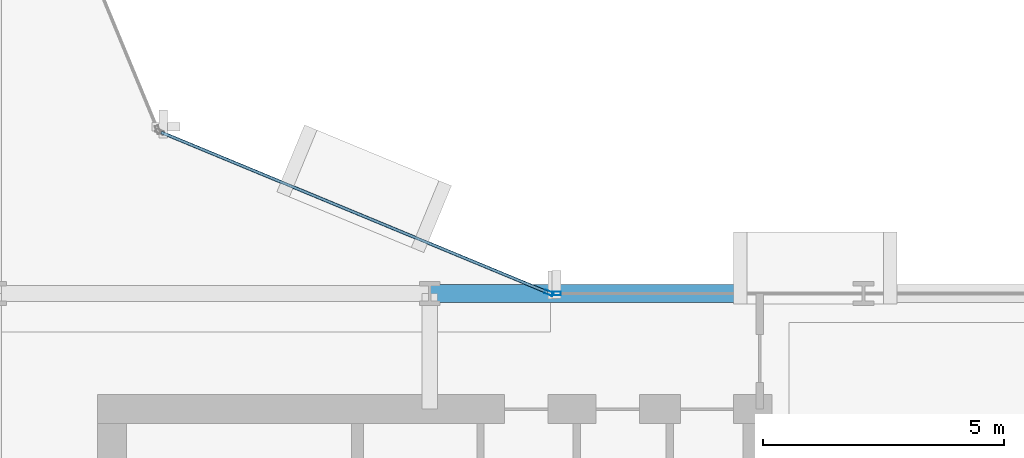
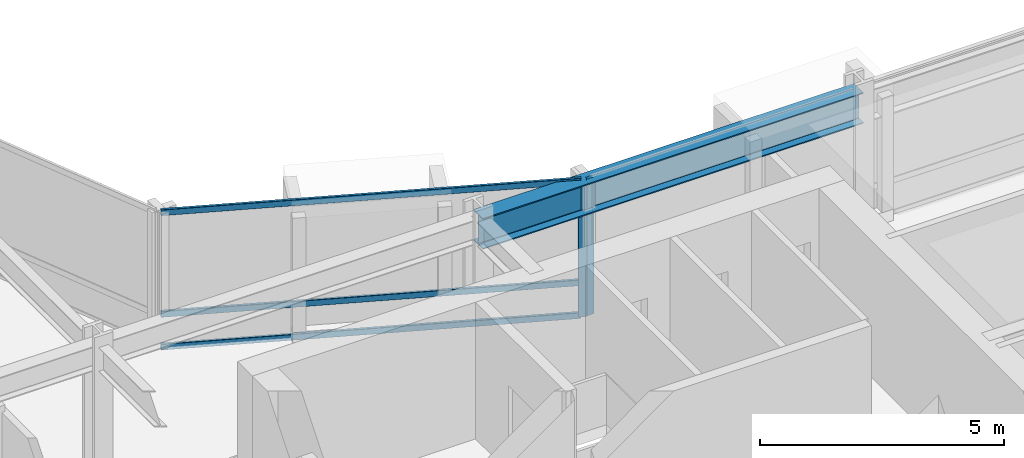
# One storey, part 15 of 34: 5 members, 1 beam, 2 elements without a shape of their own.
"""IFC4 building model written with IfcOpenShell, lengths in metres."""

from ifc_helpers import new_model, si_unit, direction, frame, origin, origin_2d, place, context, subcontext, project, spatial, hollow_rectangle, i_section, extrude, material, layer, layer_set, material_profile, profile_set, type_object, element, aggregate, save


model = new_model("IFC4")

# Units and contexts
model_context = context("Model", 3, precision=1e-05, world=origin(), true_north=direction((0.0, 1.0)))
body_context = subcontext(model_context, "Body", "Model", "MODEL_VIEW")
ifc_project = project(units=[si_unit("LENGTHUNIT", "METRE"), si_unit("AREAUNIT", "SQUARE_METRE"), si_unit("VOLUMEUNIT", "CUBIC_METRE"), si_unit("PLANEANGLEUNIT", "RADIAN"), si_unit("MASSUNIT", "GRAM", prefix="KILO")], contexts=[model_context])

# Site, building, storey
site_placement = place(None, origin())
site = spatial("IfcSite", under=ifc_project, at=site_placement, CompositionType="ELEMENT")
building_placement = place(site_placement, origin())
building = spatial("IfcBuilding", under=site, at=building_placement, Name="Solvaryn Broadcast Tower", CompositionType="ELEMENT")
storey_placement = place(building_placement, frame((0.0, 0.0, 47.10009765625)))
storey = spatial("IfcBuildingStorey", under=building, at=storey_placement, Name="L10", CompositionType="ELEMENT", Elevation=47.10009765625)

# Beam
ifc_material_1 = material(Name="Steel ASTM A992 Grade 50", Category="steel")
ifc_material_profile_1 = material_profile(ifc_material_1, i_section(OverallWidth=0.381103515625, OverallDepth=0.77294921875, WebThickness=0.0166015625, FlangeThickness=0.027099609375, FilletRadius=0.01806640625, at=origin_2d()))
ifc_profile_set_1 = profile_set([ifc_material_profile_1], Name="Steel ASTM A992 Grade 50")
beam_type = type_object("IfcBeamType", Name="BM-SP1-W30X173", PredefinedType="USERDEFINED", material=ifc_profile_set_1)
beam_placement = place(storey_placement, frame((36.0, 27.0, 3.033447265625), z_axis=(1.0, 0.0, 0.0), x_axis=(0.0, 1.0, 0.0)))
element("IfcBeam", 1, at=beam_placement, inside=storey, type_object=beam_type, Name="L10 Spandrel Beam X (36-45 @ Y=27)", ObjectType="SPANDREL", PredefinedType="USERDEFINED", context=body_context, shape_type="SweptSolid", body=[
    extrude(i_section(OverallWidth=0.381103515625, OverallDepth=0.77294921875, WebThickness=0.0166015625, FlangeThickness=0.027099609375, FilletRadius=0.01806640625, at=origin_2d()), origin(), (0.0, 0.0, 1.0), 9.0),
])

# Curtain wall, member
ifc_material_2 = material(Name="Aluminium and Terracotta Unitised Curtain Wall", Category="masonry")
ifc_layer = layer(ifc_material_2, 0.199951171875)
ifc_layer_set = layer_set([ifc_layer], Name="CW-SYS2-LOWMID")
curtain_wall_type = type_object("IfcCurtainWallType", Name="CW-SYS2-LOWMID", PredefinedType="NOTDEFINED", material=ifc_layer_set)
curtain_wall_1_placement = place(storey_placement, origin())
curtain_wall_1 = element("IfcCurtainWall", 2, at=curtain_wall_1_placement, inside=storey, type_object=curtain_wall_type, Name="L10 Curtain Wall CN1", PredefinedType="NOTDEFINED")
ifc_material_3 = material(Name="Anodised Aluminium 6063-T6", Category="aluminium")
ifc_material_profile_2 = material_profile(ifc_material_3, hollow_rectangle(XDim=0.074951171875, YDim=0.179931640625, WallThickness=0.00390625, InnerFilletRadius=0.00390625, OuterFilletRadius=0.008056640625, at=origin_2d()))
ifc_profile_set_2 = profile_set([ifc_material_profile_2], Name="Anodised Aluminium 6063-T6")
member_type_1 = type_object("IfcMemberType", Name="CW-MUL-180", PredefinedType="MULLION", material=ifc_profile_set_2)
member_1_placement = place(storey_placement, frame((38.47216796875, 27.011474609375, 0.0), z_axis=(0.0, 0.0, 1.0), x_axis=(-0.382646127145, -0.923894983957, 0.0)))
member_1 = element("IfcMember", 3, at=member_1_placement, type_object=member_type_1, Name="CWS2 mullion 1", PredefinedType="MULLION", context=body_context, shape_type="SweptSolid", body=[
    extrude(hollow_rectangle(XDim=0.074951171875, YDim=0.179931640625, WallThickness=0.00390625, InnerFilletRadius=0.00390625, OuterFilletRadius=0.008056640625, at=origin_2d()), origin(), (0.0, 0.0, 1.0), 3.419921875),
])

curtain_wall_2_placement = place(storey_placement, origin())
curtain_wall_2 = element("IfcCurtainWall", 4, at=curtain_wall_2_placement, inside=storey, type_object=curtain_wall_type, Name="L10 Curtain Wall IH", PredefinedType="NOTDEFINED")
member_2_placement = place(storey_placement, frame((38.6298828125, 27.0, 0.0), z_axis=(0.0, 0.0, 1.0), x_axis=(0.0, 1.0, 0.0)))
member_2 = element("IfcMember", 5, at=member_2_placement, type_object=member_type_1, Name="CWS2 mullion 1", PredefinedType="MULLION", context=body_context, shape_type="SweptSolid", body=[
    extrude(hollow_rectangle(XDim=0.074951171875, YDim=0.179931640625, WallThickness=0.00390625, InnerFilletRadius=0.00390625, OuterFilletRadius=0.008056640625, at=origin_2d()), origin(), (0.0, 0.0, 1.0), 3.419921875),
])
aggregate(curtain_wall_2, [member_2])

# Member
ifc_material_4 = material(Name="Anodised Aluminium 6063-T6", Category="aluminium")
ifc_material_profile_3 = material_profile(ifc_material_4, hollow_rectangle(XDim=0.06494140625, YDim=0.14990234375, WallThickness=0.00390625, InnerFilletRadius=0.00390625, OuterFilletRadius=0.008056640625, at=origin_2d()))
ifc_profile_set_3 = profile_set([ifc_material_profile_3], Name="Anodised Aluminium 6063-T6")
member_type_2 = type_object("IfcMemberType", Name="CW-TRN-150", PredefinedType="USERDEFINED", material=ifc_profile_set_3)
member_3_placement = place(storey_placement, frame((38.444580078125, 27.02294921875, 0.02978515625), z_axis=(-0.923899282177, 0.382635748975, 0.0), x_axis=(-0.382635748975, -0.923899282177, 0.0)))
member_3 = element("IfcMember", 6, at=member_3_placement, type_object=member_type_2, Name="CWS2 transom 1.1", ObjectType="TRANSOM", PredefinedType="USERDEFINED", context=body_context, shape_type="SweptSolid", body=[
    extrude(hollow_rectangle(XDim=0.06494140625, YDim=0.14990234375, WallThickness=0.00390625, InnerFilletRadius=0.00390625, OuterFilletRadius=0.008056640625, at=origin_2d()), origin(), (0.0, 0.0, 1.0), 8.681884765625),
])

member_4_placement = place(storey_placement, frame((38.444580078125, 27.02294921875, 0.849853515625), z_axis=(-0.923899282177, 0.382635748975, 0.0), x_axis=(-0.382635748975, -0.923899282177, 0.0)))
member_4 = element("IfcMember", 7, at=member_4_placement, type_object=member_type_2, Name="CWS2 transom 1.2", ObjectType="TRANSOM", PredefinedType="USERDEFINED", context=body_context, shape_type="SweptSolid", body=[
    extrude(hollow_rectangle(XDim=0.06494140625, YDim=0.14990234375, WallThickness=0.00390625, InnerFilletRadius=0.00390625, OuterFilletRadius=0.008056640625, at=origin_2d()), origin(), (0.0, 0.0, 1.0), 8.681884765625),
])

member_5_placement = place(storey_placement, frame((38.444580078125, 27.02294921875, 3.389892578125), z_axis=(-0.923899282177, 0.382635748975, 0.0), x_axis=(-0.382635748975, -0.923899282177, 0.0)))
member_5 = element("IfcMember", 8, at=member_5_placement, type_object=member_type_2, Name="CWS2 transom 1.3", ObjectType="TRANSOM", PredefinedType="USERDEFINED", context=body_context, shape_type="SweptSolid", body=[
    extrude(hollow_rectangle(XDim=0.06494140625, YDim=0.14990234375, WallThickness=0.00390625, InnerFilletRadius=0.00390625, OuterFilletRadius=0.008056640625, at=origin_2d()), origin(), (0.0, 0.0, 1.0), 8.681884765625),
])

aggregate(curtain_wall_1, [member_1, member_3, member_4, member_5])

save(model, "model.ifc")
